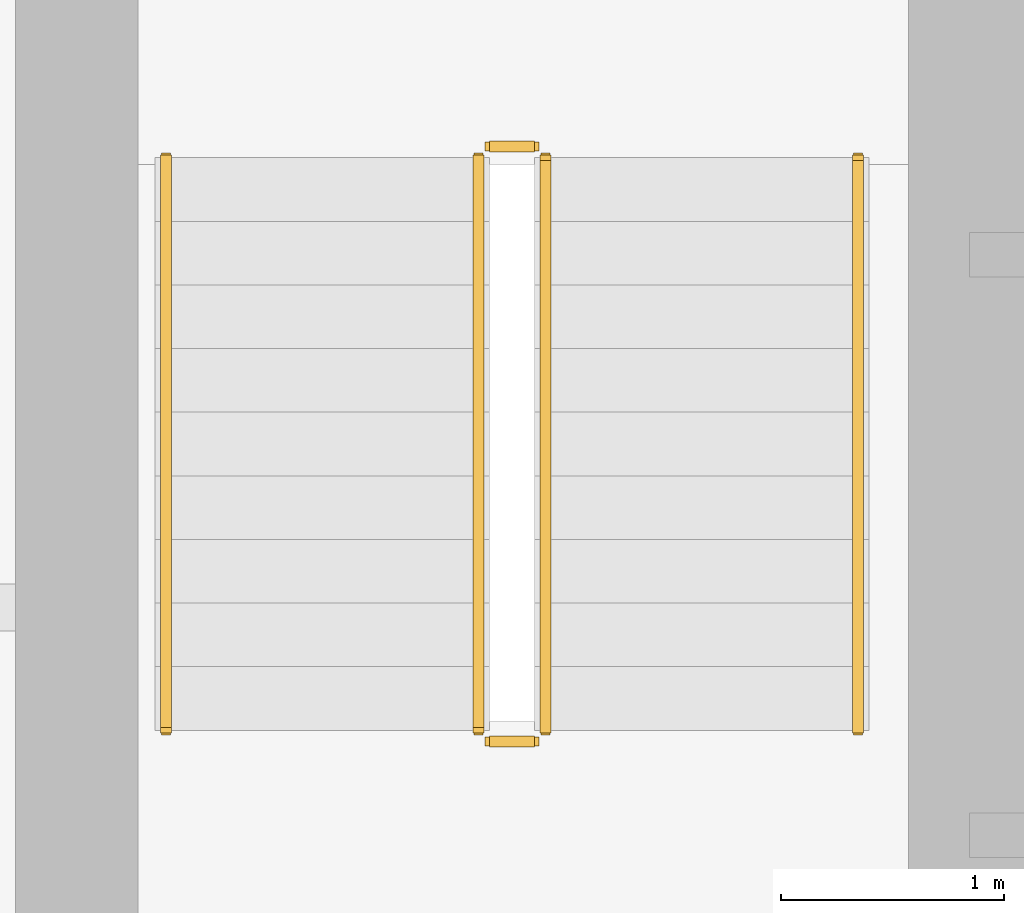
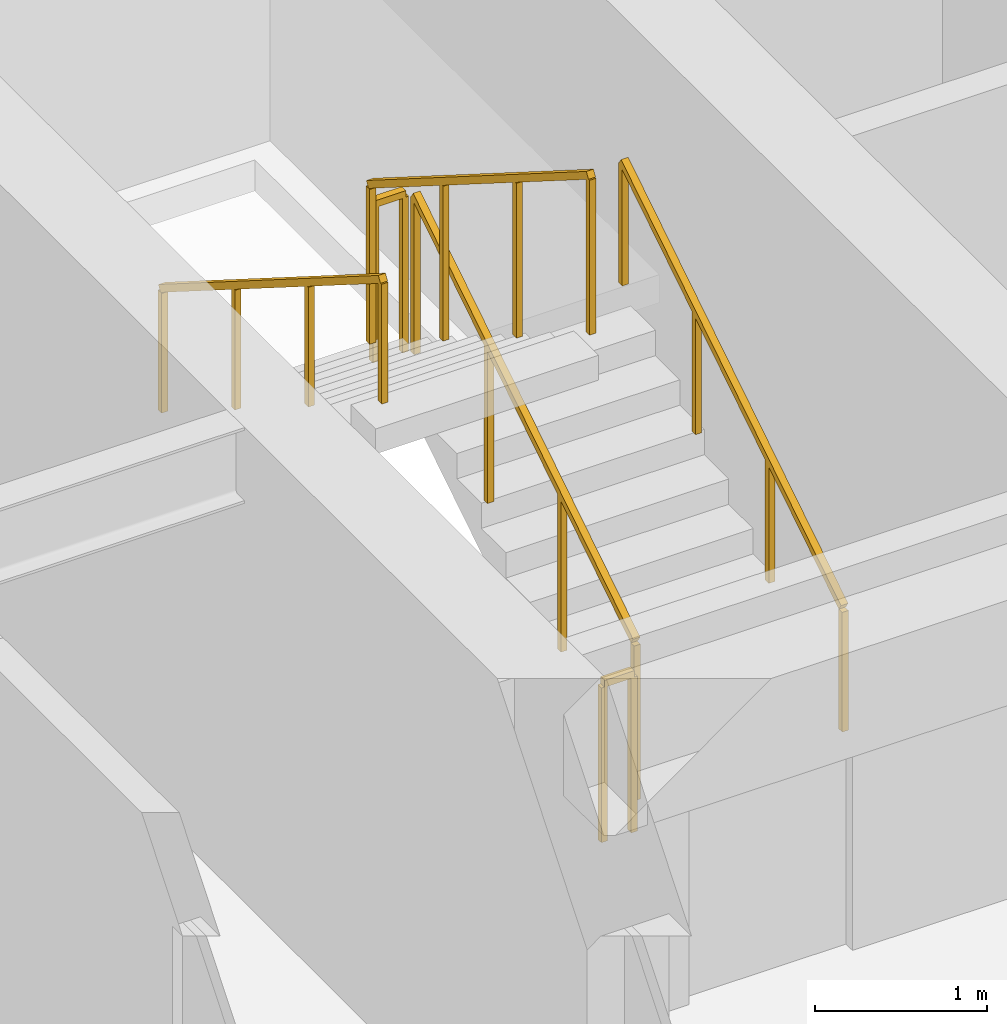
# One storey, part 22 of 24: 6 railings.
"""IFC4 building model written with IfcOpenShell, lengths in metres."""

import ifcopenshell
import ifcopenshell.guid

model = None  # the IFC model being written
_history = None  # IfcOwnerHistory: only IFC2X3 demands one
_inside = {}  # id of a spatial element -> (the spatial element, [elements in it])
_under = {}  # id of a project, library or spatial element -> (it, [spatial elements below it])
_declared = {}  # id of a project -> (the project, [libraries it declares])
_typed = {}  # id of a type object -> (the type object, [elements of that type])
_made_of = {}  # id of a material, layer set ... -> (it, [elements and type objects made of it])


def new_model(schema):
    """Start an empty IFC model of exactly this schema.

    Asked for "IFC4X3", IfcOpenShell would pick the latest addendum, in which some entities
    have other attributes; the version numbers below select the first issue.
    IFC2X3 requires an IfcOwnerHistory on every rooted entity: one is made here for all.
    """
    global model, _history
    if schema == "IFC4X3":
        model = ifcopenshell.file(schema_version=(4, 3, 0, 0))
    else:
        model = ifcopenshell.file(schema=schema)
    _inside.clear()
    _under.clear()
    _declared.clear()
    _typed.clear()
    _made_of.clear()
    _history = None
    if model.schema == "IFC2X3":
        org = make("IfcOrganization", Name="unknown")
        user = make(
            "IfcPersonAndOrganization",
            ThePerson=make("IfcPerson", FamilyName="unknown"),
            TheOrganization=org,
        )
        app = make(
            "IfcApplication",
            ApplicationDeveloper=org,
            Version="unknown",
            ApplicationFullName="unknown",
            ApplicationIdentifier="unknown",
        )
        _history = make(
            "IfcOwnerHistory",
            OwningUser=user,
            OwningApplication=app,
            ChangeAction="ADDED",
            CreationDate=0,
        )
    return model


def make(cls, **values):
    """One entity of the class cls with the attributes given. An attribute that is None is left unset."""
    return model.create_entity(
        cls, **{name: value for name, value in values.items() if value is not None}
    )


def rooted(cls, **values):
    """An entity with a GlobalId (a new one), such as an element, a storey or a relation."""
    return make(cls, GlobalId=ifcopenshell.guid.new(), OwnerHistory=_history, **values)


def si_unit(unit_type, name, prefix=None):
    """IfcSIUnit, for example si_unit("LENGTHUNIT", "METRE", prefix="MILLI")."""
    return make("IfcSIUnit", UnitType=unit_type, Prefix=prefix, Name=name)


def assignment(units):
    """IfcUnitAssignment: the units of a project."""
    return None if units is None else make("IfcUnitAssignment", Units=units)


def point(xyz):
    """IfcCartesianPoint."""
    return None if xyz is None else make("IfcCartesianPoint", Coordinates=xyz)


def direction(xyz):
    """IfcDirection."""
    return None if xyz is None else make("IfcDirection", DirectionRatios=xyz)


def frame(location, z_axis=None, x_axis=None):
    """IfcAxis2Placement3D, a coordinate frame: its origin and axes. An axis left out is left unset."""
    return make(
        "IfcAxis2Placement3D",
        Location=point(location),
        Axis=direction(z_axis),
        RefDirection=direction(x_axis),
    )


def frame_2d(location, x_axis=None):
    """IfcAxis2Placement2D, a coordinate frame in the plane: its origin and x axis."""
    return make(
        "IfcAxis2Placement2D", Location=point(location), RefDirection=direction(x_axis)
    )


def origin():
    """The frame at (0, 0, 0) with its axes left unset."""
    return frame((0.0, 0.0, 0.0))


def origin_2d():
    """The frame at (0, 0) in the plane with its x axis left unset."""
    return frame_2d((0.0, 0.0))


def place(relative_to, where):
    """IfcLocalPlacement: puts the frame where relative to a parent placement (None: the world)."""
    return make(
        "IfcLocalPlacement", PlacementRelTo=relative_to, RelativePlacement=where
    )


def context(
    kind, dimensions, precision=None, world=None, true_north=None, identifier=None
):
    """IfcGeometricRepresentationContext, for example the 3D "Model" context."""
    return make(
        "IfcGeometricRepresentationContext",
        ContextIdentifier=identifier,
        ContextType=kind,
        CoordinateSpaceDimension=dimensions,
        Precision=precision,
        WorldCoordinateSystem=world,
        TrueNorth=true_north,
    )


def subcontext(parent, identifier, kind, view, scale=None):
    """IfcGeometricRepresentationSubContext, for example "Body" below "Model"."""
    return make(
        "IfcGeometricRepresentationSubContext",
        ContextIdentifier=identifier,
        ContextType=kind,
        ParentContext=parent,
        TargetScale=scale,
        TargetView=view,
    )


def project(units=None, contexts=None):
    """IfcProject with its units and contexts."""
    return rooted(
        "IfcProject",
        Name="project",
        RepresentationContexts=contexts,
        UnitsInContext=assignment(units),
    )


def spatial(cls, under=None, at=None, **own):
    """A site, building, storey or space (cls), placed at a placement, below another one or the project."""
    s = rooted(cls, ObjectPlacement=at, **own)
    if under is not None:
        _under.setdefault(under.id(), (under, []))[1].append(s)
    return s


def profile(cls, at=None, kind="AREA", **sizes):
    """A parametric profile (cls). Its sizes go by their IFC names, for example OverallWidth=200.0."""
    return make(cls, ProfileType=kind, Position=at, **sizes)


def rectangle(**sizes):
    """IfcRectangleProfileDef."""
    return profile("IfcRectangleProfileDef", **sizes)


def extrude(swept, where, along, depth):
    """IfcExtrudedAreaSolid: the profile swept, set in the frame where, extruded along a direction by depth."""
    return make(
        "IfcExtrudedAreaSolid",
        SweptArea=swept,
        Position=where,
        ExtrudedDirection=direction(along),
        Depth=depth,
    )


def shape(context_of_items, identifier, shape_type, items):
    """IfcShapeRepresentation: the items that make up one representation, for example the "Body"."""
    return make(
        "IfcShapeRepresentation",
        ContextOfItems=context_of_items,
        RepresentationIdentifier=identifier,
        RepresentationType=shape_type,
        Items=items,
    )


def material(Name=None, Category=None):
    """IfcMaterial."""
    return make("IfcMaterial", Name=Name, Category=Category)


def made_of(thing, what):
    """Note that an element or type object is made of a material, layer set ...; save() writes the relation."""
    if what is not None:
        _made_of.setdefault(what.id(), (what, []))[1].append(thing)
    return thing


def type_object(cls, material=None, **own):
    """A type object (cls), such as IfcWallType, which elements share."""
    return made_of(rooted(cls, **own), material)


def element(
    cls,
    number,
    at=None,
    inside=None,
    cuts=None,
    type_object=None,
    material=None,
    context=None,
    identifier="Body",
    shape_type=None,
    held_by="IfcProductDefinitionShape",
    body=None,
    shapes=None,
    **own,
):
    """One element of the class cls, such as IfcWall. Its Tag is "e" and its number.

    at: its placement. inside: the storey or other place that contains it. cuts: it is an
    opening in that element (IfcRelVoidsElement). A single representation is given by context,
    identifier, shape_type and body (its items); several are given by shapes. held_by: the class
    of the entity that holds the representations. save() writes the other relations.
    """
    e = rooted(cls, Tag="e%d" % number, ObjectPlacement=at, **own)
    if body is not None:
        shapes = [shape(context, identifier, shape_type, body)]
    if shapes is not None:
        e.Representation = make(held_by, Representations=shapes)
    if inside is not None:
        _inside.setdefault(inside.id(), (inside, []))[1].append(e)
    if cuts is not None:
        rooted(
            "IfcRelVoidsElement", RelatingBuildingElement=cuts, RelatedOpeningElement=e
        )
    if type_object is not None:
        _typed.setdefault(type_object.id(), (type_object, []))[1].append(e)
    return made_of(e, material)


def aggregate(whole, parts):
    """IfcRelAggregates: a whole, such as a stair, and the parts it consists of."""
    return rooted("IfcRelAggregates", RelatingObject=whole, RelatedObjects=parts)


def save(model, path):
    """Write the relations noted so far, then the file.

    IfcRelAggregates (storeys below a building ...), IfcRelContainedInSpatialStructure (elements
    in a storey), IfcRelDefinesByType, IfcRelAssociatesMaterial and IfcRelDeclares: one each for
    every whole, place, type object, material and project.
    """
    for whole, parts in _under.values():
        aggregate(whole, parts)
    for where, things in _inside.values():
        rooted(
            "IfcRelContainedInSpatialStructure",
            RelatedElements=things,
            RelatingStructure=where,
        )
    for kind, things in _typed.values():
        rooted("IfcRelDefinesByType", RelatedObjects=things, RelatingType=kind)
    for what, things in _made_of.values():
        rooted("IfcRelAssociatesMaterial", RelatedObjects=things, RelatingMaterial=what)
    for by, libraries in _declared.values():
        rooted("IfcRelDeclares", RelatingContext=by, RelatedDefinitions=libraries)
    model.write(path)


model = new_model("IFC4")

# Units and contexts
model_context = context("Model", 3, precision=1e-05, world=origin(), true_north=direction((0.0, 1.0)))
body_context = subcontext(model_context, "Body", "Model", "MODEL_VIEW")
ifc_project = project(units=[si_unit("LENGTHUNIT", "METRE"), si_unit("AREAUNIT", "SQUARE_METRE"), si_unit("VOLUMEUNIT", "CUBIC_METRE"), si_unit("PLANEANGLEUNIT", "RADIAN"), si_unit("MASSUNIT", "GRAM", prefix="KILO")], contexts=[model_context])

# Site, building, storey
site_placement = place(None, origin())
site = spatial("IfcSite", under=ifc_project, at=site_placement, CompositionType="ELEMENT")
building_placement = place(site_placement, origin())
building = spatial("IfcBuilding", under=site, at=building_placement, Name="Sarneth Arch Tower", CompositionType="ELEMENT")
storey_placement = place(building_placement, frame((0.0, 0.0, 123.60009765625)))
storey = spatial("IfcBuildingStorey", under=building, at=storey_placement, Name="L31", CompositionType="ELEMENT", Elevation=123.60009765625)

# Railings
ifc_material_1 = material(Name="Brushed Stainless Steel 304 tubular handrail", Category="steel")
railing_type_1 = type_object("IfcRailingType", Name="RAIL-HANDRAIL-900", PredefinedType="HANDRAIL", material=ifc_material_1)
railing_1_placement = place(storey_placement, frame((40.5, 41.449951171875, 0.179931640625)))
element("IfcRailing", 1, at=railing_1_placement, inside=storey, type_object=railing_type_1, Name="L31 ST-1 stair handrail 1", PredefinedType="HANDRAIL", context=body_context, shape_type="SweptSolid", body=[
    extrude(rectangle(XDim=0.048095703125, YDim=0.048095703125, at=origin_2d()), frame((0.0, 0.0, 0.8759765625), z_axis=(0.0, 0.845502289212, 0.533971796014), x_axis=(-1.0, 0.0, 0.0)), (0.0, 0.0, 1.0), 3.03369140625),
    extrude(rectangle(XDim=0.0419921875, YDim=0.0419921875, at=origin_2d()), origin(), (0.0, 0.0, 1.0), 0.851806640625),
    extrude(rectangle(XDim=0.0419921875, YDim=0.0419921875, at=origin_2d()), frame((0.0, 0.85498046875, 0.5400390625)), (0.0, 0.0, 1.0), 0.851806640625),
    extrude(rectangle(XDim=0.0419921875, YDim=0.0419921875, at=origin_2d()), frame((0.0, 1.7099609375, 1.079833984375)), (0.0, 0.0, 1.0), 0.851806640625),
    extrude(rectangle(XDim=0.0419921875, YDim=0.0419921875, at=origin_2d()), frame((0.0, 2.56494140625, 1.619873046875)), (0.0, 0.0, 1.0), 0.851806640625),
])
railing_2_placement = place(storey_placement, frame((37.39990234375, 44.014892578125, 1.97998046875)))
element("IfcRailing", 2, at=railing_2_placement, inside=storey, type_object=railing_type_1, Name="L31 ST-1 stair handrail 2", PredefinedType="HANDRAIL", context=body_context, shape_type="SweptSolid", body=[
    extrude(rectangle(XDim=0.048095703125, YDim=0.048095703125, at=origin_2d()), frame((0.0, 0.0, 0.8759765625), z_axis=(0.0, -0.845502289212, 0.533971796014), x_axis=(1.0, 0.0, 0.0)), (0.0, 0.0, 1.0), 3.03369140625),
    extrude(rectangle(XDim=0.0419921875, YDim=0.0419921875, at=origin_2d()), origin(), (0.0, 0.0, 1.0), 0.851806640625),
    extrude(rectangle(XDim=0.0419921875, YDim=0.0419921875, at=origin_2d()), frame((0.0, -0.85498046875, 0.5400390625)), (0.0, 0.0, 1.0), 0.851806640625),
    extrude(rectangle(XDim=0.0419921875, YDim=0.0419921875, at=origin_2d()), frame((0.0, -1.7099609375, 1.079833984375)), (0.0, 0.0, 1.0), 0.851806640625),
    extrude(rectangle(XDim=0.0419921875, YDim=0.0419921875, at=origin_2d()), frame((0.0, -2.56494140625, 1.619873046875)), (0.0, 0.0, 1.0), 0.851806640625),
])
ifc_material_2 = material(Name="Painted Steel S275 stair well guard", Category="steel")
railing_type_2 = type_object("IfcRailingType", Name="RAIL-STAIR-GUARD", PredefinedType="GUARDRAIL", material=ifc_material_2)
railing_3_placement = place(storey_placement, frame((39.10009765625, 41.449951171875, 0.179931640625)))
element("IfcRailing", 3, at=railing_3_placement, inside=storey, type_object=railing_type_2, Name="L31 ST-1 stair guard 1", PredefinedType="GUARDRAIL", context=body_context, shape_type="SweptSolid", body=[
    extrude(rectangle(XDim=0.048095703125, YDim=0.048095703125, at=origin_2d()), frame((0.0, 0.0, 1.1259765625), z_axis=(0.0, 0.845502289212, 0.533971796014), x_axis=(-1.0, 0.0, 0.0)), (0.0, 0.0, 1.0), 3.03369140625),
    extrude(rectangle(XDim=0.0419921875, YDim=0.0419921875, at=origin_2d()), origin(), (0.0, 0.0, 1.0), 1.101806640625),
    extrude(rectangle(XDim=0.0419921875, YDim=0.0419921875, at=origin_2d()), frame((0.0, 0.85498046875, 0.5400390625)), (0.0, 0.0, 1.0), 1.101806640625),
    extrude(rectangle(XDim=0.0419921875, YDim=0.0419921875, at=origin_2d()), frame((0.0, 1.7099609375, 1.079833984375)), (0.0, 0.0, 1.0), 1.101806640625),
    extrude(rectangle(XDim=0.0419921875, YDim=0.0419921875, at=origin_2d()), frame((0.0, 2.56494140625, 1.619873046875)), (0.0, 0.0, 1.0), 1.101806640625),
])
railing_4_placement = place(storey_placement, frame((39.050048828125, 44.06494140625, 1.7998046875)))
element("IfcRailing", 4, at=railing_4_placement, inside=storey, type_object=railing_type_2, Name="L31 ST-1 stair guard 2", PredefinedType="GUARDRAIL", context=body_context, shape_type="SweptSolid", body=[
    extrude(rectangle(XDim=0.048095703125, YDim=0.048095703125, at=origin_2d()), frame((0.0, 0.0, 1.1259765625), z_axis=(-1.0, 0.0, 0.0), x_axis=(0.0, -1.0, 0.0)), (0.0, 0.0, 1.0), 0.199951171875),
    extrude(rectangle(XDim=0.0419921875, YDim=0.0419921875, at=origin_2d()), origin(), (0.0, 0.0, 1.0), 1.101806640625),
    extrude(rectangle(XDim=0.0419921875, YDim=0.0419921875, at=origin_2d()), frame((-0.199951171875, 0.0, 0.0)), (0.0, 0.0, 1.0), 1.101806640625),
])
railing_5_placement = place(storey_placement, frame((38.800048828125, 44.014892578125, 1.97998046875)))
element("IfcRailing", 5, at=railing_5_placement, inside=storey, type_object=railing_type_2, Name="L31 ST-1 stair guard 3", PredefinedType="GUARDRAIL", context=body_context, shape_type="SweptSolid", body=[
    extrude(rectangle(XDim=0.048095703125, YDim=0.048095703125, at=origin_2d()), frame((0.0, 0.0, 1.1259765625), z_axis=(0.0, -0.845502289212, 0.533971796014), x_axis=(1.0, 0.0, 0.0)), (0.0, 0.0, 1.0), 3.03369140625),
    extrude(rectangle(XDim=0.0419921875, YDim=0.0419921875, at=origin_2d()), origin(), (0.0, 0.0, 1.0), 1.101806640625),
    extrude(rectangle(XDim=0.0419921875, YDim=0.0419921875, at=origin_2d()), frame((0.0, -0.85498046875, 0.5400390625)), (0.0, 0.0, 1.0), 1.101806640625),
    extrude(rectangle(XDim=0.0419921875, YDim=0.0419921875, at=origin_2d()), frame((0.0, -1.7099609375, 1.079833984375)), (0.0, 0.0, 1.0), 1.101806640625),
    extrude(rectangle(XDim=0.0419921875, YDim=0.0419921875, at=origin_2d()), frame((0.0, -2.56494140625, 1.619873046875)), (0.0, 0.0, 1.0), 1.101806640625),
])
railing_6_placement = place(storey_placement, frame((39.050048828125, 41.39990234375, 0.0)))
element("IfcRailing", 6, at=railing_6_placement, inside=storey, type_object=railing_type_2, Name="L31 ST-1 stair guard 4", PredefinedType="GUARDRAIL", context=body_context, shape_type="SweptSolid", body=[
    extrude(rectangle(XDim=0.048095703125, YDim=0.048095703125, at=origin_2d()), frame((0.0, 0.0, 1.1259765625), z_axis=(-1.0, 0.0, 0.0), x_axis=(0.0, -1.0, 0.0)), (0.0, 0.0, 1.0), 0.199951171875),
    extrude(rectangle(XDim=0.0419921875, YDim=0.0419921875, at=origin_2d()), origin(), (0.0, 0.0, 1.0), 1.101806640625),
    extrude(rectangle(XDim=0.0419921875, YDim=0.0419921875, at=origin_2d()), frame((-0.199951171875, 0.0, 0.0)), (0.0, 0.0, 1.0), 1.101806640625),
])

save(model, "model.ifc")
